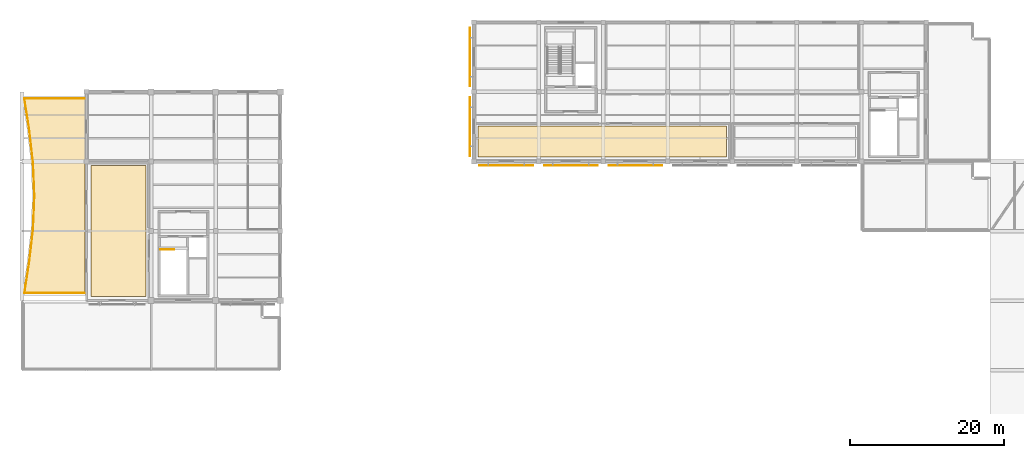
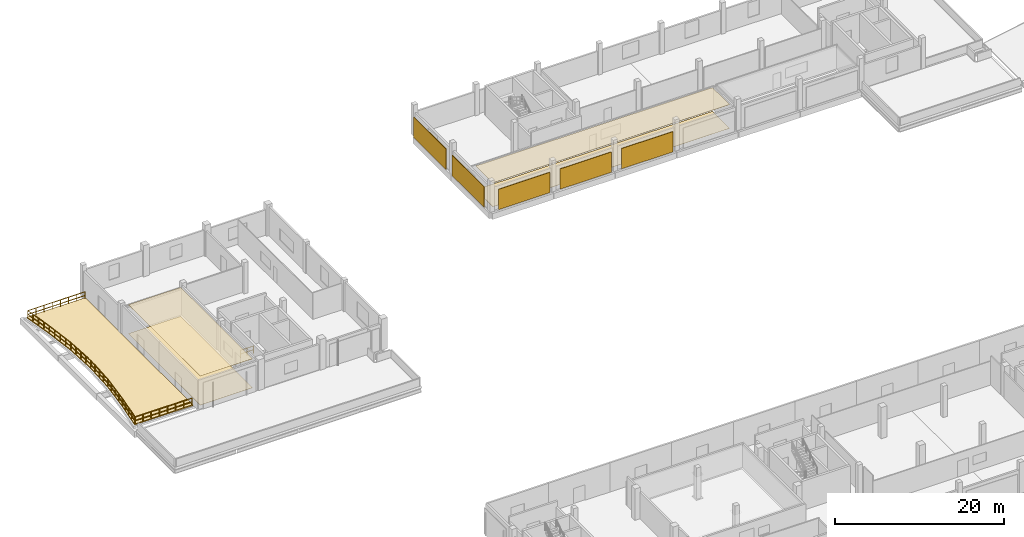
# One storey, part 30 of 34: 9 railings, 5 coverings, 5 shading devices.
"""IFC4 building model written with IfcOpenShell, lengths in metres."""

from ifc_helpers import new_model, si_unit, direction, frame, origin, origin_2d, place, context, subcontext, project, spatial, polyline, rectangle, circle, outline, extrude, material, layer, layer_set, type_object, element, save


model = new_model("IFC4")

# Units and contexts
model_context = context("Model", 3, precision=1e-05, world=origin(), true_north=direction((0.0, 1.0)))
body_context = subcontext(model_context, "Body", "Model", "MODEL_VIEW")
ifc_project = project(units=[si_unit("LENGTHUNIT", "METRE"), si_unit("AREAUNIT", "SQUARE_METRE"), si_unit("VOLUMEUNIT", "CUBIC_METRE"), si_unit("PLANEANGLEUNIT", "RADIAN"), si_unit("MASSUNIT", "GRAM", prefix="KILO")], contexts=[model_context])

# Site, building, storey
site_placement = place(None, origin())
site = spatial("IfcSite", under=ifc_project, at=site_placement, CompositionType="ELEMENT")
building_placement = place(site_placement, origin())
building = spatial("IfcBuilding", under=site, at=building_placement, Name="Khurvash Pelagic Aquarium", CompositionType="ELEMENT")
storey_placement = place(building_placement, frame((0.0, 0.0, 15.60009765625)))
storey = spatial("IfcBuildingStorey", under=building, at=storey_placement, Name="L03", CompositionType="ELEMENT", Elevation=15.60009765625)

# Railings
ifc_material_1 = material(Name="Laminated glass and stainless steel 316", Category="steel")
railing_type_1 = type_object("IfcRailingType", Name="BL-01", PredefinedType="BALUSTRADE", material=ifc_material_1)
railing_1_placement = place(storey_placement, frame((8.1201171875, 66.929931640625, 0.0)))
element("IfcRailing", 1, at=railing_1_placement, inside=storey, type_object=railing_type_1, Name="L03 Planted Terrace Perimeter Balustrade BL-01 0048", PredefinedType="BALUSTRADE", context=body_context, shape_type="SweptSolid", body=[
    extrude(circle(Radius=0.02392578125, at=origin_2d()), frame((0.0, 0.0, 1.076171875), z_axis=(-1.0, 0.0, 0.0), x_axis=(0.0, -1.0, 0.0)), (0.0, 0.0, 1.0), 7.793212890625),
    extrude(circle(Radius=0.02392578125, at=origin_2d()), frame((0.0, 0.0, 0.5380859375), z_axis=(-1.0, 0.0, 0.0), x_axis=(0.0, -1.0, 0.0)), (0.0, 0.0, 1.0), 7.793212890625),
    extrude(circle(Radius=0.02099609375, at=origin_2d()), origin(), (0.0, 0.0, 1.0), 1.052001953125),
    extrude(circle(Radius=0.02099609375, at=origin_2d()), frame((-1.11328125, 0.0, 0.0)), (0.0, 0.0, 1.0), 1.052001953125),
    extrude(circle(Radius=0.02099609375, at=origin_2d()), frame((-2.2265625, 0.0, 0.0)), (0.0, 0.0, 1.0), 1.052001953125),
    extrude(circle(Radius=0.02099609375, at=origin_2d()), frame((-3.33984375, 0.0, 0.0)), (0.0, 0.0, 1.0), 1.052001953125),
    extrude(circle(Radius=0.02099609375, at=origin_2d()), frame((-4.453369140625, 0.0, 0.0)), (0.0, 0.0, 1.0), 1.052001953125),
    extrude(circle(Radius=0.02099609375, at=origin_2d()), frame((-5.566650390625, 0.0, 0.0)), (0.0, 0.0, 1.0), 1.052001953125),
    extrude(circle(Radius=0.02099609375, at=origin_2d()), frame((-6.679931640625, 0.0, 0.0)), (0.0, 0.0, 1.0), 1.052001953125),
    extrude(circle(Radius=0.02099609375, at=origin_2d()), frame((-7.793212890625, 0.0, 0.0)), (0.0, 0.0, 1.0), 1.052001953125),
])
railing_2_placement = place(storey_placement, frame((0.326904296875, 66.929931640625, 0.0)))
element("IfcRailing", 2, at=railing_2_placement, inside=storey, type_object=railing_type_1, Name="L03 Planted Terrace Perimeter Balustrade BL-01 0049", PredefinedType="BALUSTRADE", context=body_context, shape_type="SweptSolid", body=[
    extrude(circle(Radius=0.02392578125, at=origin_2d()), frame((0.0, 0.0, 1.076171875), z_axis=(0.154939971158, 0.987923886409, 0.0), x_axis=(-0.987923886409, 0.154939971158, 0.0)), (0.0, 0.0, 1.0), 4.033935546875),
    extrude(circle(Radius=0.02392578125, at=origin_2d()), frame((0.0, 0.0, 0.5380859375), z_axis=(0.154939971158, 0.987923886409, 0.0), x_axis=(-0.987923886409, 0.154939971158, 0.0)), (0.0, 0.0, 1.0), 4.033935546875),
    extrude(circle(Radius=0.02099609375, at=origin_2d()), origin(), (0.0, 0.0, 1.0), 1.052001953125),
    extrude(circle(Radius=0.02099609375, at=origin_2d()), frame((0.15625, 0.996337890625, 0.0)), (0.0, 0.0, 1.0), 1.052001953125),
    extrude(circle(Radius=0.02099609375, at=origin_2d()), frame((0.3125, 1.99267578125, 0.0)), (0.0, 0.0, 1.0), 1.052001953125),
    extrude(circle(Radius=0.02099609375, at=origin_2d()), frame((0.46875, 2.98876953125, 0.0)), (0.0, 0.0, 1.0), 1.052001953125),
    extrude(circle(Radius=0.02099609375, at=origin_2d()), frame((0.625, 3.985107421875, 0.0)), (0.0, 0.0, 1.0), 1.052001953125),
])
railing_3_placement = place(storey_placement, frame((0.952880859375, 70.926025390625, 0.0)))
element("IfcRailing", 3, at=railing_3_placement, inside=storey, type_object=railing_type_1, Name="L03 Planted Terrace Perimeter Balustrade BL-01 0050", PredefinedType="BALUSTRADE", context=body_context, shape_type="SweptSolid", body=[
    extrude(circle(Radius=0.02392578125, at=origin_2d()), frame((0.0, 0.0, 1.076171875), z_axis=(0.113927583607, 0.993489056655, 0.0), x_axis=(-0.993489056655, 0.113927583607, 0.0)), (0.0, 0.0, 1.0), 4.33740234375),
    extrude(circle(Radius=0.02392578125, at=origin_2d()), frame((0.0, 0.0, 0.5380859375), z_axis=(0.113927583607, 0.993489056655, 0.0), x_axis=(-0.993489056655, 0.113927583607, 0.0)), (0.0, 0.0, 1.0), 4.33740234375),
    extrude(circle(Radius=0.02099609375, at=origin_2d()), origin(), (0.0, 0.0, 1.0), 1.052001953125),
    extrude(circle(Radius=0.02099609375, at=origin_2d()), frame((0.12353515625, 1.0771484375, 0.0)), (0.0, 0.0, 1.0), 1.052001953125),
    extrude(circle(Radius=0.02099609375, at=origin_2d()), frame((0.2470703125, 2.154541015625, 0.0)), (0.0, 0.0, 1.0), 1.052001953125),
    extrude(circle(Radius=0.02099609375, at=origin_2d()), frame((0.37060546875, 3.23193359375, 0.0)), (0.0, 0.0, 1.0), 1.052001953125),
    extrude(circle(Radius=0.02099609375, at=origin_2d()), frame((0.494140625, 4.30908203125, 0.0)), (0.0, 0.0, 1.0), 1.052001953125),
])
railing_4_placement = place(storey_placement, frame((1.448974609375, 75.2548828125, 0.0)))
element("IfcRailing", 4, at=railing_4_placement, inside=storey, type_object=railing_type_1, Name="L03 Planted Terrace Perimeter Balustrade BL-01 0051", PredefinedType="BALUSTRADE", context=body_context, shape_type="SweptSolid", body=[
    extrude(circle(Radius=0.02392578125, at=origin_2d()), frame((0.0, 0.0, 1.076171875), z_axis=(0.041955544235, 0.999119478495, 0.0), x_axis=(-0.999119478495, 0.041955544235, 0.0)), (0.0, 0.0, 1.0), 4.31201171875),
    extrude(circle(Radius=0.02392578125, at=origin_2d()), frame((0.0, 0.0, 0.5380859375), z_axis=(0.041955544235, 0.999119478495, 0.0), x_axis=(-0.999119478495, 0.041955544235, 0.0)), (0.0, 0.0, 1.0), 4.31201171875),
    extrude(circle(Radius=0.02099609375, at=origin_2d()), origin(), (0.0, 0.0, 1.0), 1.052001953125),
    extrude(circle(Radius=0.02099609375, at=origin_2d()), frame((0.045166015625, 1.0771484375, 0.0)), (0.0, 0.0, 1.0), 1.052001953125),
    extrude(circle(Radius=0.02099609375, at=origin_2d()), frame((0.09033203125, 2.154052734375, 0.0)), (0.0, 0.0, 1.0), 1.052001953125),
    extrude(circle(Radius=0.02099609375, at=origin_2d()), frame((0.1357421875, 3.23095703125, 0.0)), (0.0, 0.0, 1.0), 1.052001953125),
    extrude(circle(Radius=0.02099609375, at=origin_2d()), frame((0.180908203125, 4.30810546875, 0.0)), (0.0, 0.0, 1.0), 1.052001953125),
])
railing_5_placement = place(storey_placement, frame((1.6298828125, 79.5869140625, 0.0)))
element("IfcRailing", 5, at=railing_5_placement, inside=storey, type_object=railing_type_1, Name="L03 Planted Terrace Perimeter Balustrade BL-01 0052", PredefinedType="BALUSTRADE", context=body_context, shape_type="SweptSolid", body=[
    extrude(circle(Radius=0.02392578125, at=origin_2d()), frame((0.0, 0.0, 1.076171875), z_axis=(-0.041955544235, 0.999119478495, 0.0), x_axis=(-0.999119478495, -0.041955544235, 0.0)), (0.0, 0.0, 1.0), 4.31201171875),
    extrude(circle(Radius=0.02392578125, at=origin_2d()), frame((0.0, 0.0, 0.5380859375), z_axis=(-0.041955544235, 0.999119478495, 0.0), x_axis=(-0.999119478495, -0.041955544235, 0.0)), (0.0, 0.0, 1.0), 4.31201171875),
    extrude(circle(Radius=0.02099609375, at=origin_2d()), origin(), (0.0, 0.0, 1.0), 1.052001953125),
    extrude(circle(Radius=0.02099609375, at=origin_2d()), frame((-0.045166015625, 1.0771484375, 0.0)), (0.0, 0.0, 1.0), 1.052001953125),
    extrude(circle(Radius=0.02099609375, at=origin_2d()), frame((-0.09033203125, 2.154052734375, 0.0)), (0.0, 0.0, 1.0), 1.052001953125),
    extrude(circle(Radius=0.02099609375, at=origin_2d()), frame((-0.1357421875, 3.23095703125, 0.0)), (0.0, 0.0, 1.0), 1.052001953125),
    extrude(circle(Radius=0.02099609375, at=origin_2d()), frame((-0.180908203125, 4.30810546875, 0.0)), (0.0, 0.0, 1.0), 1.052001953125),
])
railing_6_placement = place(storey_placement, frame((1.447021484375, 83.9150390625, 0.0)))
element("IfcRailing", 6, at=railing_6_placement, inside=storey, type_object=railing_type_1, Name="L03 Planted Terrace Perimeter Balustrade BL-01 0053", PredefinedType="BALUSTRADE", context=body_context, shape_type="SweptSolid", body=[
    extrude(circle(Radius=0.02392578125, at=origin_2d()), frame((0.0, 0.0, 1.076171875), z_axis=(-0.113927583607, 0.993489056655, 0.0), x_axis=(-0.993489056655, -0.113927583607, 0.0)), (0.0, 0.0, 1.0), 4.33740234375),
    extrude(circle(Radius=0.02392578125, at=origin_2d()), frame((0.0, 0.0, 0.5380859375), z_axis=(-0.113927583607, 0.993489056655, 0.0), x_axis=(-0.993489056655, -0.113927583607, 0.0)), (0.0, 0.0, 1.0), 4.33740234375),
    extrude(circle(Radius=0.02099609375, at=origin_2d()), origin(), (0.0, 0.0, 1.0), 1.052001953125),
    extrude(circle(Radius=0.02099609375, at=origin_2d()), frame((-0.12353515625, 1.0771484375, 0.0)), (0.0, 0.0, 1.0), 1.052001953125),
    extrude(circle(Radius=0.02099609375, at=origin_2d()), frame((-0.2470703125, 2.154541015625, 0.0)), (0.0, 0.0, 1.0), 1.052001953125),
    extrude(circle(Radius=0.02099609375, at=origin_2d()), frame((-0.37060546875, 3.23193359375, 0.0)), (0.0, 0.0, 1.0), 1.052001953125),
    extrude(circle(Radius=0.02099609375, at=origin_2d()), frame((-0.494140625, 4.30908203125, 0.0)), (0.0, 0.0, 1.0), 1.052001953125),
])
railing_7_placement = place(storey_placement, frame((0.951904296875, 88.235107421875, 0.0)))
element("IfcRailing", 7, at=railing_7_placement, inside=storey, type_object=railing_type_1, Name="L03 Planted Terrace Perimeter Balustrade BL-01 0054", PredefinedType="BALUSTRADE", context=body_context, shape_type="SweptSolid", body=[
    extrude(circle(Radius=0.02392578125, at=origin_2d()), frame((0.0, 0.0, 1.076171875), z_axis=(-0.154949235959, 0.98792243333, 0.0), x_axis=(-0.98792243333, -0.154949235959, 0.0)), (0.0, 0.0, 1.0), 4.03369140625),
    extrude(circle(Radius=0.02392578125, at=origin_2d()), frame((0.0, 0.0, 0.5380859375), z_axis=(-0.154949235959, 0.98792243333, 0.0), x_axis=(-0.98792243333, -0.154949235959, 0.0)), (0.0, 0.0, 1.0), 4.03369140625),
    extrude(circle(Radius=0.02099609375, at=origin_2d()), origin(), (0.0, 0.0, 1.0), 1.052001953125),
    extrude(circle(Radius=0.02099609375, at=origin_2d()), frame((-0.15625, 0.99609375, 0.0)), (0.0, 0.0, 1.0), 1.052001953125),
    extrude(circle(Radius=0.02099609375, at=origin_2d()), frame((-0.3125, 1.992431640625, 0.0)), (0.0, 0.0, 1.0), 1.052001953125),
    extrude(circle(Radius=0.02099609375, at=origin_2d()), frame((-0.46875, 2.98876953125, 0.0)), (0.0, 0.0, 1.0), 1.052001953125),
    extrude(circle(Radius=0.02099609375, at=origin_2d()), frame((-0.625, 3.98486328125, 0.0)), (0.0, 0.0, 1.0), 1.052001953125),
])
railing_8_placement = place(storey_placement, frame((0.326904296875, 92.219970703125, 0.0)))
element("IfcRailing", 8, at=railing_8_placement, inside=storey, type_object=railing_type_1, Name="L03 Planted Terrace Perimeter Balustrade BL-01 0055", PredefinedType="BALUSTRADE", context=body_context, shape_type="SweptSolid", body=[
    extrude(circle(Radius=0.02392578125, at=origin_2d()), frame((0.0, 0.0, 1.076171875), z_axis=(1.0, 0.0, 0.0), x_axis=(0.0, 1.0, 0.0)), (0.0, 0.0, 1.0), 7.793212890625),
    extrude(circle(Radius=0.02392578125, at=origin_2d()), frame((0.0, 0.0, 0.5380859375), z_axis=(1.0, 0.0, 0.0), x_axis=(0.0, 1.0, 0.0)), (0.0, 0.0, 1.0), 7.793212890625),
    extrude(circle(Radius=0.02099609375, at=origin_2d()), origin(), (0.0, 0.0, 1.0), 1.052001953125),
    extrude(circle(Radius=0.02099609375, at=origin_2d()), frame((1.11328125, 0.0, 0.0)), (0.0, 0.0, 1.0), 1.052001953125),
    extrude(circle(Radius=0.02099609375, at=origin_2d()), frame((2.2265625, 0.0, 0.0)), (0.0, 0.0, 1.0), 1.052001953125),
    extrude(circle(Radius=0.02099609375, at=origin_2d()), frame((3.33984375, 0.0, 0.0)), (0.0, 0.0, 1.0), 1.052001953125),
    extrude(circle(Radius=0.02099609375, at=origin_2d()), frame((4.453369140625, 0.0, 0.0)), (0.0, 0.0, 1.0), 1.052001953125),
    extrude(circle(Radius=0.02099609375, at=origin_2d()), frame((5.566650390625, 0.0, 0.0)), (0.0, 0.0, 1.0), 1.052001953125),
    extrude(circle(Radius=0.02099609375, at=origin_2d()), frame((6.679931640625, 0.0, 0.0)), (0.0, 0.0, 1.0), 1.052001953125),
    extrude(circle(Radius=0.02099609375, at=origin_2d()), frame((7.793212890625, 0.0, 0.0)), (0.0, 0.0, 1.0), 1.052001953125),
])

# Coverings
ifc_material_2 = material(Name="Moisture-resistant acoustic mineral-fibre ceiling", Category="finish")
ifc_layer_1 = layer(ifc_material_2, 0.02490234375)
ifc_layer_set_1 = layer_set([ifc_layer_1], Name="Moisture-resistant acoustic mineral-fibre ceiling")
covering_type_1 = type_object("IfcCoveringType", Name="CV-CLG", PredefinedType="CEILING", material=ifc_layer_set_1)
covering_1_placement = place(storey_placement, frame((0.0, 0.0, 4.1748046875)))
element("IfcCovering", 9, at=covering_1_placement, inside=storey, type_object=covering_type_1, Name="L03 Marine Science Reference Library Suspended Acoustic Ceiling", PredefinedType="CEILING", context=body_context, shape_type="SweptSolid", body=[
    extrude(outline(polyline([(16.14990234375, 66.5), (16.14990234375, 83.5), (9.0, 83.5), (9.0, 66.5), (16.14990234375, 66.5)])), origin(), (0.0, 0.0, 1.0), 0.025146484375),
])
covering_2_placement = place(storey_placement, frame((0.0, 0.0, 3.4248046875)))
element("IfcCovering", 10, at=covering_2_placement, inside=storey, type_object=covering_type_1, Name="L03 Marine Microbiology BSL-2 Laboratory Suspended Acoustic Ceiling", PredefinedType="CEILING", context=body_context, shape_type="SweptSolid", body=[
    extrude(outline(polyline([(91.64990234375, 84.60009765625), (91.64990234375, 88.64990234375), (59.35009765625, 88.64990234375), (59.35009765625, 84.60009765625), (91.64990234375, 84.60009765625)])), origin(), (0.0, 0.0, 1.0), 0.025146484375),
])
ifc_material_3 = material(Name="Slip-resistant terrazzo and epoxy resin flooring", Category="finish")
ifc_layer_2 = layer(ifc_material_3, 0.02001953125)
ifc_layer_set_2 = layer_set([ifc_layer_2], Name="Slip-resistant terrazzo and epoxy resin flooring")
covering_type_2 = type_object("IfcCoveringType", Name="CV-FLR", PredefinedType="FLOORING", material=ifc_layer_set_2)
covering_3_placement = place(storey_placement, origin())
element("IfcCovering", 11, at=covering_3_placement, inside=storey, type_object=covering_type_2, Name="L03 Marine Science Reference Library Terrazzo Floor Finish", PredefinedType="FLOORING", context=body_context, shape_type="SweptSolid", body=[
    extrude(outline(polyline([(16.14990234375, 66.5), (16.14990234375, 83.5), (9.0, 83.5), (9.0, 66.5), (16.14990234375, 66.5)])), origin(), (0.0, 0.0, 1.0), 0.02001953125),
])
covering_4_placement = place(storey_placement, origin())
element("IfcCovering", 12, at=covering_4_placement, inside=storey, type_object=covering_type_2, Name="L03 Marine Microbiology BSL-2 Laboratory Terrazzo Floor Finish", PredefinedType="FLOORING", context=body_context, shape_type="SweptSolid", body=[
    extrude(outline(polyline([(91.64990234375, 84.60009765625), (91.64990234375, 88.64990234375), (59.35009765625, 88.64990234375), (59.35009765625, 84.60009765625), (91.64990234375, 84.60009765625)])), origin(), (0.0, 0.0, 1.0), 0.02001953125),
])
ifc_material_4 = material(Name="Vegetated monsoon-retention substrate and drainage mat", Category="earth")
ifc_layer_3 = layer(ifc_material_4, 0.14990234375)
ifc_layer_set_3 = layer_set([ifc_layer_3], Name="Vegetated monsoon-retention substrate and drainage mat")
covering_type_3 = type_object("IfcCoveringType", Name="CV-RF02", PredefinedType="ROOFING", material=ifc_layer_set_3)
covering_5_placement = place(storey_placement, origin())
element("IfcCovering", 13, at=covering_5_placement, inside=storey, type_object=covering_type_3, Name="L03 Monsoon Retention Terrace Substrate TERR_L03_W", PredefinedType="ROOFING", context=body_context, shape_type="SweptSolid", body=[
    extrude(outline(polyline([(8.199951171875, 66.85009765625), (0.23388671875, 66.85009765625), (0.873046875, 70.927001953125), (0.8740234375, 70.93505859375), (1.367919921875, 75.243896484375), (1.368896484375, 75.259033203125), (1.550048828125, 79.56689453125), (1.550048828125, 79.5830078125), (1.368896484375, 83.89111328125), (1.367919921875, 83.906005859375), (0.8740234375, 88.215087890625), (0.873046875, 88.222900390625), (0.23388671875, 92.300048828125), (8.199951171875, 92.300048828125), (8.199951171875, 66.85009765625)])), origin(), (0.0, 0.0, 1.0), 0.14990234375),
])

# Railing
ifc_material_5 = material(Name="Powder-coated galvanised steel S355J2", Category="steel")
railing_type_2 = type_object("IfcRailingType", Name="GR-01", PredefinedType="GUARDRAIL", material=ifc_material_5)
railing_9_placement = place(storey_placement, frame((18.0, 72.60009765625, 0.0)))
element("IfcRailing", 14, at=railing_9_placement, inside=storey, type_object=railing_type_2, Name="L03 ST-05 top well guard 1", PredefinedType="GUARDRAIL", context=body_context, shape_type="SweptSolid", body=[
    extrude(circle(Radius=0.02392578125, at=origin_2d()), frame((0.0, 0.0, 1.076171875), z_axis=(1.0, 0.0, 0.0), x_axis=(0.0, 1.0, 0.0)), (0.0, 0.0, 1.0), 1.800048828125),
    extrude(circle(Radius=0.02392578125, at=origin_2d()), frame((0.0, 0.0, 0.5380859375), z_axis=(1.0, 0.0, 0.0), x_axis=(0.0, 1.0, 0.0)), (0.0, 0.0, 1.0), 1.800048828125),
    extrude(circle(Radius=0.02099609375, at=origin_2d()), origin(), (0.0, 0.0, 1.0), 1.052001953125),
    extrude(circle(Radius=0.02099609375, at=origin_2d()), frame((0.89990234375, 0.0, 0.0)), (0.0, 0.0, 1.0), 1.052001953125),
    extrude(circle(Radius=0.02099609375, at=origin_2d()), frame((1.800048828125, 0.0, 0.0)), (0.0, 0.0, 1.0), 1.052001953125),
])

# Shading devices
ifc_material_6 = material(Name="Extruded anodised aluminium fin", Category="aluminium")
ifc_layer_4 = layer(ifc_material_6, 0.074951171875)
ifc_layer_set_4 = layer_set([ifc_layer_4], Name="Extruded anodised aluminium fin")
shading_device_type_1 = type_object("IfcShadingDeviceType", Name="SH-FIN", PredefinedType="USERDEFINED", material=ifc_layer_set_4)
for number, where, z_axis, x_axis, name in (
    (15, (58.300048828125, 97.625, 0.19970703125), (0.0, 0.0, 1.0), (0.0, -1.0, 0.0), "L03 Perforated Aluminium Jali Screen SH-FIN 0047"),
    (16, (58.300048828125, 88.574951171875, 0.19970703125), (0.0, 0.0, 1.0), (0.0, -1.0, 0.0), "L03 Perforated Aluminium Jali Screen SH-FIN 0048"),
):
    element("IfcShadingDevice", number, at=place(storey_placement, frame(where, z_axis=z_axis, x_axis=x_axis)), inside=storey, type_object=shading_device_type_1, Name=name, ObjectType="SOLAR FIN", PredefinedType="USERDEFINED", context=body_context, shape_type="SweptSolid", body=[
        extrude(rectangle(XDim=7.639892578125, YDim=0.074951171875, at=origin_2d()), origin(), (0.0, 0.0, 1.0), 2.949951171875),
    ])
ifc_material_7 = material(Name="Perforated anodised aluminium AW-5005", Category="aluminium")
ifc_layer_5 = layer(ifc_material_7, 0.06005859375)
ifc_layer_set_5 = layer_set([ifc_layer_5], Name="Perforated anodised aluminium AW-5005")
shading_device_type_2 = type_object("IfcShadingDeviceType", Name="SH-JAL", PredefinedType="JALOUSIE", material=ifc_layer_set_5)
for number, where, z_axis, x_axis, name in (
    (17, (63.0, 83.550048828125, 0.19970703125), (0.0, 0.0, 1.0), (1.0, 0.0, 0.0), "L03 Perforated Aluminium Jali Screen SH-JAL 0049"),
    (18, (71.39990234375, 83.550048828125, 0.19970703125), (0.0, 0.0, 1.0), (1.0, 0.0, 0.0), "L03 Perforated Aluminium Jali Screen SH-JAL 0050"),
    (19, (79.800048828125, 83.550048828125, 0.19970703125), (0.0, 0.0, 1.0), (1.0, 0.0, 0.0), "L03 Perforated Aluminium Jali Screen SH-JAL 0051"),
):
    element("IfcShadingDevice", number, at=place(storey_placement, frame(where, z_axis=z_axis, x_axis=x_axis)), inside=storey, type_object=shading_device_type_2, Name=name, PredefinedType="JALOUSIE", context=body_context, shape_type="SweptSolid", body=[
        extrude(rectangle(XDim=6.989990234375, YDim=0.06005859375, at=origin_2d()), origin(), (0.0, 0.0, 1.0), 2.929931640625),
    ])

save(model, "model.ifc")
